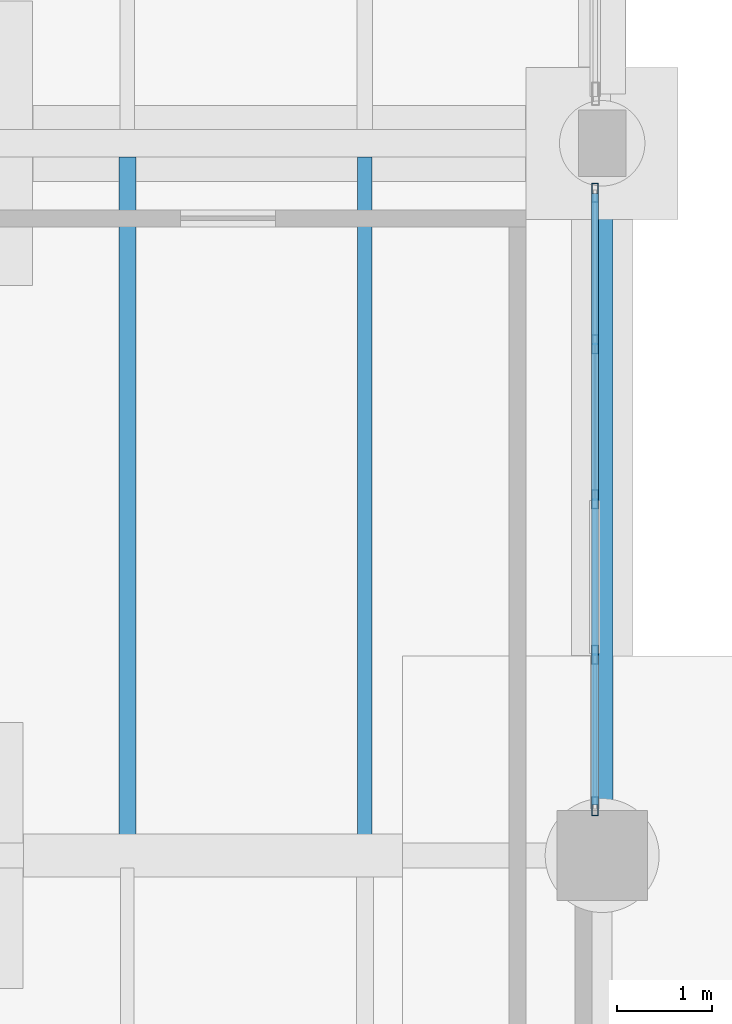
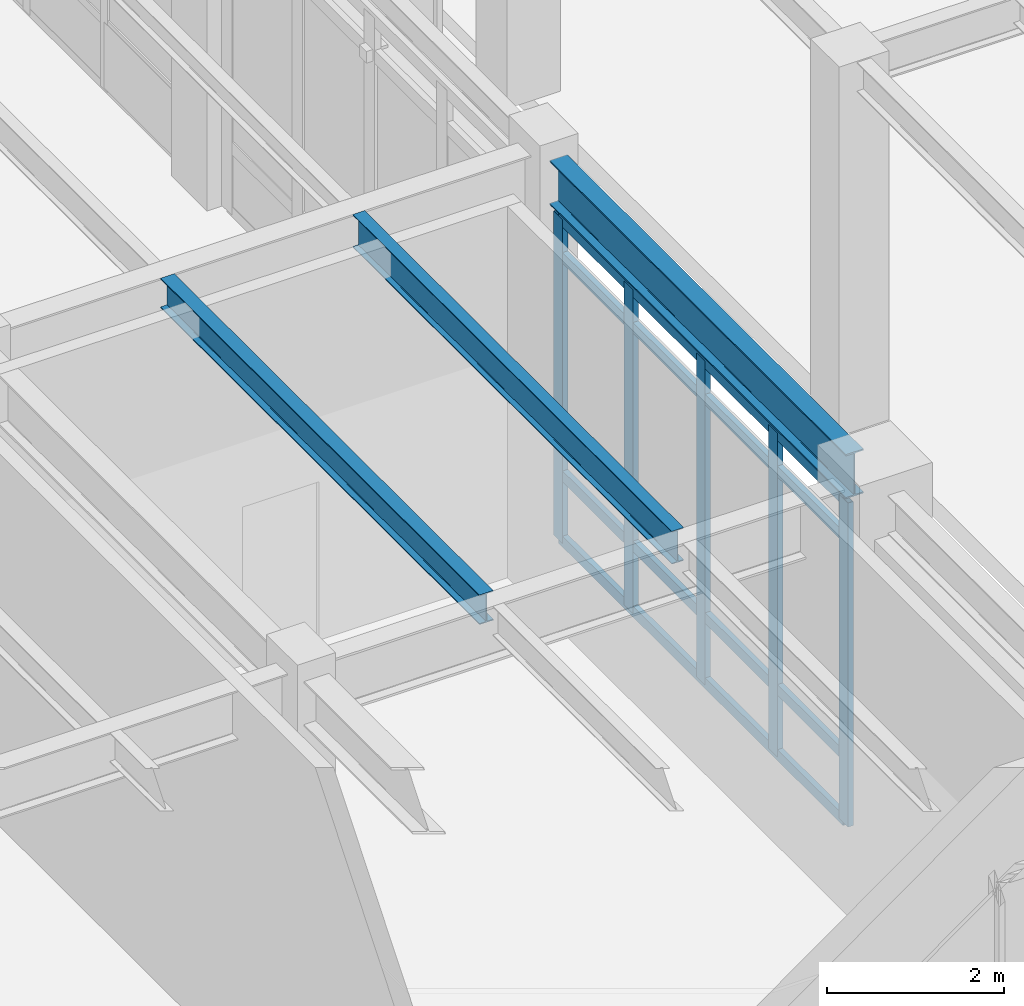
# One storey, part 32 of 203: 9 members, 3 beams, 1 element without a shape of its own.
"""IFC4 building model written with IfcOpenShell, lengths in metres."""

from ifc_helpers import new_model, si_unit, direction, frame, origin, origin_2d, place, context, subcontext, project, spatial, hollow_rectangle, i_section, extrude, material, material_profile, profile_set, type_object, element, aggregate, save


model = new_model("IFC4")

# Units and contexts
model_context = context("Model", 3, precision=1e-05, world=origin(), true_north=direction((0.0, 1.0)))
body_context = subcontext(model_context, "Body", "Model", "MODEL_VIEW")
ifc_project = project(units=[si_unit("LENGTHUNIT", "METRE"), si_unit("AREAUNIT", "SQUARE_METRE"), si_unit("VOLUMEUNIT", "CUBIC_METRE"), si_unit("PLANEANGLEUNIT", "RADIAN"), si_unit("MASSUNIT", "GRAM", prefix="KILO"), si_unit("THERMODYNAMICTEMPERATUREUNIT", "KELVIN"), si_unit("POWERUNIT", "WATT")], contexts=[model_context])

# Site, building, storey
site_placement = place(None, origin())
site = spatial("IfcSite", under=ifc_project, at=site_placement, CompositionType="ELEMENT")
building_placement = place(site_placement, origin())
building = spatial("IfcBuilding", under=site, at=building_placement, Name="Tepalcoro Natatorium and Aquatics Centre", CompositionType="ELEMENT")
storey_placement = place(building_placement, origin())
storey = spatial("IfcBuildingStorey", under=building, at=storey_placement, Name="L00", CompositionType="ELEMENT", Elevation=0.0)

# Curtain wall, members
ifc_material_1 = material(Name="Bronze-Anodised Extruded Aluminium Alloy EN AW-6063 T6", Category="aluminium")
curtain_wall_type = type_object("IfcCurtainWallType", Name="CW_LEAN_T2_NS", PredefinedType="USERDEFINED", material=ifc_material_1)
curtain_wall_placement = place(storey_placement, origin())
curtain_wall = element("IfcCurtainWall", 1, at=curtain_wall_placement, inside=storey, type_object=curtain_wall_type, Name="V3 L00 E Unitised Curtain Wall Bay 2", ObjectType="FACETED SOLAR GLAZING", PredefinedType="USERDEFINED")
ifc_material_profile_1 = material_profile(ifc_material_1, hollow_rectangle(XDim=0.070068359375, YDim=0.199951171875, WallThickness=0.0048828125, at=origin_2d()), Name="AL70X200X5")
ifc_profile_set_1 = profile_set([ifc_material_profile_1], Name="Bronze-Anodised Extruded Aluminium Alloy EN AW-6063 T6")
member_type_1 = type_object("IfcMemberType", Name="CW_MUL_70x200", PredefinedType="MULLION", material=ifc_profile_set_1)
member_1_placement = place(storey_placement, frame((35.923828125, 13.52001953125, 0.02001953125), z_axis=(0.0, 0.0, 1.0), x_axis=(1.0, 0.0, 0.0)))
member_1 = element("IfcMember", 2, at=member_1_placement, type_object=member_type_1, Name="CW_LEAN_T2_NS Curtain Wall Mullion", PredefinedType="MULLION", context=body_context, shape_type="SweptSolid", body=[
    extrude(hollow_rectangle(XDim=0.070068359375, YDim=0.199951171875, WallThickness=0.0048828125, at=origin_2d()), origin(), (0.0, 0.0, 1.0), 4.47802734375),
])
member_2_placement = place(storey_placement, frame((35.923828125, 15.114990234375, 0.02001953125), z_axis=(0.0, 0.0, 1.0), x_axis=(1.0, 0.0, 0.0)))
member_2 = element("IfcMember", 3, at=member_2_placement, type_object=member_type_1, Name="CW_LEAN_T2_NS Curtain Wall Mullion", PredefinedType="MULLION", context=body_context, shape_type="SweptSolid", body=[
    extrude(hollow_rectangle(XDim=0.070068359375, YDim=0.199951171875, WallThickness=0.0048828125, at=origin_2d()), origin(), (0.0, 0.0, 1.0), 4.47802734375),
])
member_3_placement = place(storey_placement, frame((35.923828125, 16.75, 0.02001953125), z_axis=(0.0, 0.0, 1.0), x_axis=(1.0, 0.0, 0.0)))
member_3 = element("IfcMember", 4, at=member_3_placement, type_object=member_type_1, Name="CW_LEAN_T2_NS Curtain Wall Mullion", PredefinedType="MULLION", context=body_context, shape_type="SweptSolid", body=[
    extrude(hollow_rectangle(XDim=0.070068359375, YDim=0.199951171875, WallThickness=0.0048828125, at=origin_2d()), origin(), (0.0, 0.0, 1.0), 4.47802734375),
])
member_4_placement = place(storey_placement, frame((35.923828125, 18.385009765625, 0.02001953125), z_axis=(0.0, 0.0, 1.0), x_axis=(1.0, 0.0, 0.0)))
member_4 = element("IfcMember", 5, at=member_4_placement, type_object=member_type_1, Name="CW_LEAN_T2_NS Curtain Wall Mullion", PredefinedType="MULLION", context=body_context, shape_type="SweptSolid", body=[
    extrude(hollow_rectangle(XDim=0.070068359375, YDim=0.199951171875, WallThickness=0.0048828125, at=origin_2d()), origin(), (0.0, 0.0, 1.0), 4.47802734375),
])
member_5_placement = place(storey_placement, frame((35.923828125, 19.97998046875, 0.02001953125), z_axis=(0.0, 0.0, 1.0), x_axis=(1.0, 0.0, 0.0)))
member_5 = element("IfcMember", 6, at=member_5_placement, type_object=member_type_1, Name="CW_LEAN_T2_NS Curtain Wall Mullion", PredefinedType="MULLION", context=body_context, shape_type="SweptSolid", body=[
    extrude(hollow_rectangle(XDim=0.070068359375, YDim=0.199951171875, WallThickness=0.0048828125, at=origin_2d()), origin(), (0.0, 0.0, 1.0), 4.47802734375),
])
ifc_material_profile_2 = material_profile(ifc_material_1, hollow_rectangle(XDim=0.070068359375, YDim=0.14990234375, WallThickness=0.00390625, at=origin_2d()), Name="AL70X150X4")
ifc_profile_set_2 = profile_set([ifc_material_profile_2], Name="Bronze-Anodised Extruded Aluminium Alloy EN AW-6063 T6")
member_type_2 = type_object("IfcMemberType", Name="CW_TRN_70x150", PredefinedType="USERDEFINED", material=ifc_profile_set_2)
member_6_placement = place(storey_placement, frame((35.923828125, 13.530029296875, 0.050048828125), z_axis=(0.0, 1.0, 0.0), x_axis=(-1.0, 0.0, 0.0)))
member_6 = element("IfcMember", 7, at=member_6_placement, type_object=member_type_2, Name="CW_LEAN_T2_NS Curtain Wall Transom", ObjectType="TRANSOM", PredefinedType="USERDEFINED", context=body_context, shape_type="SweptSolid", body=[
    extrude(hollow_rectangle(XDim=0.070068359375, YDim=0.14990234375, WallThickness=0.00390625, at=origin_2d()), origin(), (0.0, 0.0, 1.0), 6.43994140625),
])
member_7_placement = place(storey_placement, frame((35.923828125, 13.530029296875, 0.949951171875), z_axis=(0.0, 1.0, 0.0), x_axis=(-1.0, 0.0, 0.0)))
member_7 = element("IfcMember", 8, at=member_7_placement, type_object=member_type_2, Name="CW_LEAN_T2_NS Curtain Wall Transom", ObjectType="TRANSOM", PredefinedType="USERDEFINED", context=body_context, shape_type="SweptSolid", body=[
    extrude(hollow_rectangle(XDim=0.070068359375, YDim=0.14990234375, WallThickness=0.00390625, at=origin_2d()), origin(), (0.0, 0.0, 1.0), 6.43994140625),
])
member_8_placement = place(storey_placement, frame((35.923828125, 13.530029296875, 3.968017578125), z_axis=(0.0, 1.0, 0.0), x_axis=(-1.0, 0.0, 0.0)))
member_8 = element("IfcMember", 9, at=member_8_placement, type_object=member_type_2, Name="CW_LEAN_T2_NS Curtain Wall Transom", ObjectType="TRANSOM", PredefinedType="USERDEFINED", context=body_context, shape_type="SweptSolid", body=[
    extrude(hollow_rectangle(XDim=0.070068359375, YDim=0.14990234375, WallThickness=0.00390625, at=origin_2d()), origin(), (0.0, 0.0, 1.0), 6.43994140625),
])
member_9_placement = place(storey_placement, frame((35.923828125, 13.530029296875, 4.468017578125), z_axis=(0.0, 1.0, 0.0), x_axis=(-1.0, 0.0, 0.0)))
member_9 = element("IfcMember", 10, at=member_9_placement, type_object=member_type_2, Name="CW_LEAN_T2_NS Curtain Wall Transom", ObjectType="TRANSOM", PredefinedType="USERDEFINED", context=body_context, shape_type="SweptSolid", body=[
    extrude(hollow_rectangle(XDim=0.070068359375, YDim=0.14990234375, WallThickness=0.00390625, at=origin_2d()), origin(), (0.0, 0.0, 1.0), 6.43994140625),
])
aggregate(curtain_wall, [member_1, member_2, member_3, member_4, member_5, member_6, member_7, member_8, member_9])

# Beams
ifc_material_2 = material(Name="Steel ASTM A992 Grade 50 (Fy 345 MPa)", Category="steel")
ifc_material_profile_3 = material_profile(ifc_material_2, i_section(OverallWidth=0.178955078125, OverallDepth=0.409912109375, WebThickness=0.009033203125, FlangeThickness=0.013916015625, FilletRadius=0.013916015625, at=origin_2d()), Name="W16X45")
ifc_profile_set_3 = profile_set([ifc_material_profile_3], Name="Steel ASTM A992 Grade 50 (Fy 345 MPa)")
beam_type_1 = type_object("IfcBeamType", Name="JS_W16x45", PredefinedType="JOIST", material=ifc_profile_set_3)
beam_1_placement = place(storey_placement, frame((31.0, 13.133544921875, 4.93994140625), z_axis=(0.0, 1.0, 0.0), x_axis=(-1.0, 0.0, 0.0)))
element("IfcBeam", 11, at=beam_1_placement, inside=storey, type_object=beam_type_1, Name="V3 L00 Floor Joist", PredefinedType="JOIST", context=body_context, shape_type="SweptSolid", body=[
    extrude(i_section(OverallWidth=0.178955078125, OverallDepth=0.409912109375, WebThickness=0.009033203125, FlangeThickness=0.013916015625, FilletRadius=0.013916015625, at=origin_2d()), origin(), (0.0, 0.0, 1.0), 7.220458984375),
])
ifc_material_profile_4 = material_profile(ifc_material_2, i_section(OverallWidth=0.153076171875, OverallDepth=0.455078125, WebThickness=0.008056640625, FlangeThickness=0.012939453125, FilletRadius=0.013916015625, at=origin_2d()), Name="W18X40")
ifc_profile_set_4 = profile_set([ifc_material_profile_4], Name="Steel ASTM A992 Grade 50 (Fy 345 MPa)")
beam_type_2 = type_object("IfcBeamType", Name="JS_W18x40", PredefinedType="JOIST", material=ifc_profile_set_4)
beam_2_placement = place(storey_placement, frame((33.5, 13.133544921875, 4.91748046875), z_axis=(0.0, 1.0, 0.0), x_axis=(-1.0, 0.0, 0.0)))
element("IfcBeam", 12, at=beam_2_placement, inside=storey, type_object=beam_type_2, Name="V3 L00 Floor Joist", PredefinedType="JOIST", context=body_context, shape_type="SweptSolid", body=[
    extrude(i_section(OverallWidth=0.153076171875, OverallDepth=0.455078125, WebThickness=0.008056640625, FlangeThickness=0.012939453125, FilletRadius=0.013916015625, at=origin_2d()), origin(), (0.0, 0.0, 1.0), 7.220458984375),
])
ifc_material_profile_5 = material_profile(ifc_material_2, i_section(OverallWidth=0.22900390625, OverallDepth=0.612060546875, WebThickness=0.011962890625, FlangeThickness=0.02001953125, FilletRadius=0.013916015625, at=origin_2d()), Name="W24X84")
ifc_profile_set_5 = profile_set([ifc_material_profile_5], Name="Steel ASTM A992 Grade 50 (Fy 345 MPa)")
beam_type_3 = type_object("IfcBeamType", Name="SP_W24x84", PredefinedType="SPANDREL", material=ifc_profile_set_5)
beam_3_placement = place(storey_placement, frame((36.0, 13.4599609375, 4.839111328125), z_axis=(0.0, 1.0, 0.0), x_axis=(-1.0, 0.0, 0.0)))
element("IfcBeam", 13, at=beam_3_placement, inside=storey, type_object=beam_type_3, Name="V3 L00 Grid Girder Y", PredefinedType="SPANDREL", context=body_context, shape_type="SweptSolid", body=[
    extrude(i_section(OverallWidth=0.22900390625, OverallDepth=0.612060546875, WebThickness=0.011962890625, FlangeThickness=0.02001953125, FilletRadius=0.013916015625, at=origin_2d()), origin(), (0.0, 0.0, 1.0), 6.705078125),
])

save(model, "model.ifc")
